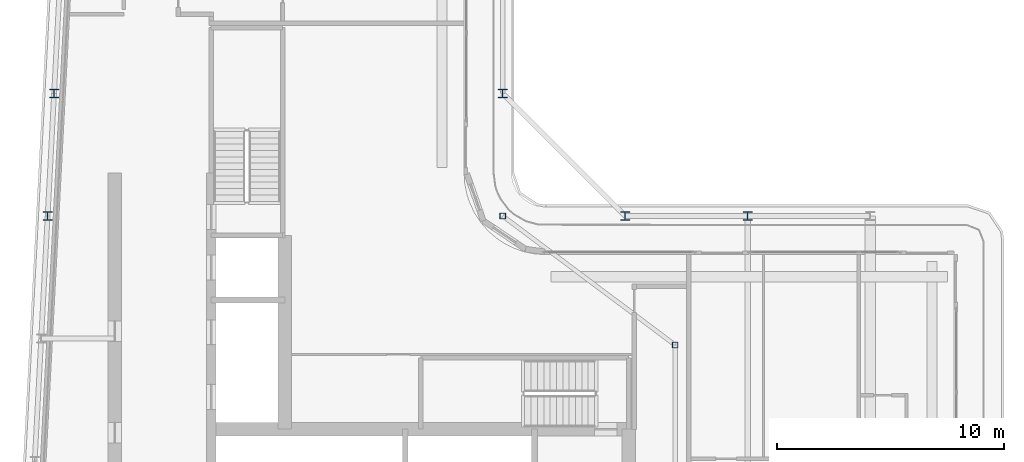
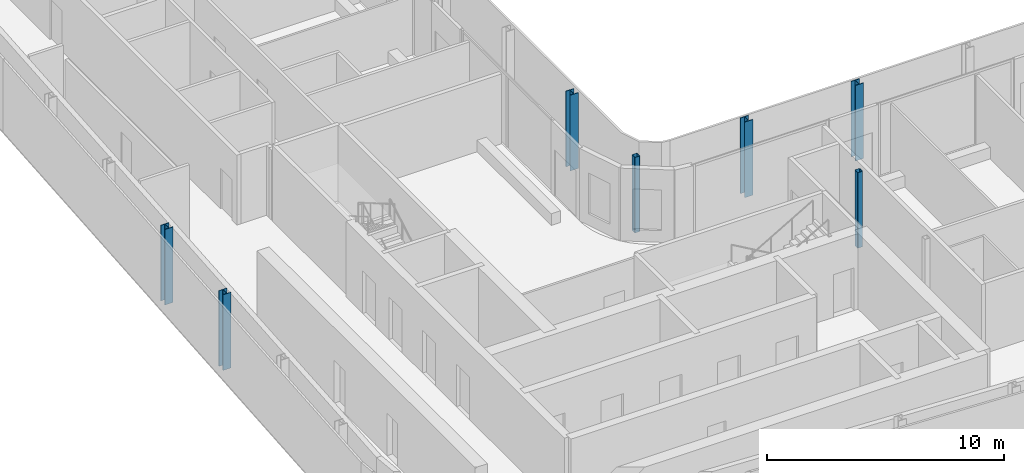
# One storey, part 2 of 21: 7 columns.
"""IFC4 building model written with IfcOpenShell, lengths in metres."""

from ifc_helpers import new_model, si_unit, direction, frame, origin, origin_2d, place, context, subcontext, project, spatial, hollow_rectangle, i_section, extrude, material, material_profile, profile_set, type_object, element, save


model = new_model("IFC4")

# Units and contexts
model_context = context("Model", 3, precision=1e-05, world=origin(), true_north=direction((0.0, 1.0)))
body_context = subcontext(model_context, "Body", "Model", "MODEL_VIEW")
ifc_project = project(units=[si_unit("LENGTHUNIT", "METRE"), si_unit("AREAUNIT", "SQUARE_METRE"), si_unit("VOLUMEUNIT", "CUBIC_METRE"), si_unit("PLANEANGLEUNIT", "RADIAN"), si_unit("MASSUNIT", "GRAM", prefix="KILO")], contexts=[model_context])

# Site, building, storey
site_placement = place(None, origin())
site = spatial("IfcSite", under=ifc_project, at=site_placement, CompositionType="ELEMENT")
building_placement = place(site_placement, origin())
building = spatial("IfcBuilding", under=site, at=building_placement, Name="Kheshtan School and Residences Tower", CompositionType="ELEMENT")
storey_placement = place(building_placement, frame((0.0, 0.0, 298.10009765625)))
storey = spatial("IfcBuildingStorey", under=building, at=storey_placement, Name="L70", CompositionType="ELEMENT", Elevation=298.10009765625)

# Columns
ifc_material_1 = material(Name="Steel ASTM A992 Grade 50", Category="steel")
ifc_material_profile_1 = material_profile(ifc_material_1, i_section(OverallWidth=0.39501953125, OverallDepth=0.3798828125, WebThickness=0.018798828125, FlangeThickness=0.0302734375, FilletRadius=0.011474609375, at=origin_2d()), Name="W360x237")
ifc_profile_set_1 = profile_set([ifc_material_profile_1], Name="Steel ASTM A992 Grade 50")
column_type_1 = type_object("IfcColumnType", Name="Column C5 W360x237 ASTM A992 Grade 50", PredefinedType="COLUMN", material=ifc_profile_set_1)
for number, where, z_axis, x_axis, name in (
    (1, (27.537109375, 45.60009765625, 0.0), (0.0, 0.0, 1.0), (1.0, 0.0, 0.0), "Column C059"),
    (2, (53.0, 45.60009765625, 0.0), (0.0, 0.0, 1.0), (1.0, 0.0, 0.0), "Column C061"),
    (3, (58.39990234375, 45.60009765625, 0.0), (0.0, 0.0, 1.0), (1.0, 0.0, 0.0), "Column C062"),
    (4, (27.822021484375, 51.0, 0.0), (0.0, 0.0, 1.0), (1.0, 0.0, 0.0), "Column C078"),
    (5, (47.60009765625, 51.0, 0.0), (0.0, 0.0, 1.0), (1.0, 0.0, 0.0), "Column C079"),
):
    element("IfcColumn", number, at=place(storey_placement, frame(where, z_axis=z_axis, x_axis=x_axis)), inside=storey, type_object=column_type_1, Name=name, PredefinedType="COLUMN", context=body_context, shape_type="SweptSolid", body=[
        extrude(i_section(OverallWidth=0.39501953125, OverallDepth=0.3798828125, WebThickness=0.018798828125, FlangeThickness=0.0302734375, FilletRadius=0.011474609375, at=origin_2d()), origin(), (0.0, 0.0, 1.0), 3.89990234375),
    ])
ifc_material_2 = material(Name="Steel ASTM A500 Grade C", Category="steel")
ifc_material_profile_2 = material_profile(ifc_material_2, hollow_rectangle(XDim=0.25390625, YDim=0.25390625, WallThickness=0.0126953125, InnerFilletRadius=0.0126953125, OuterFilletRadius=0.025390625, at=origin_2d()), Name="HSS 254x254x12.7")
ifc_profile_set_2 = profile_set([ifc_material_profile_2], Name="Steel ASTM A500 Grade C")
column_type_2 = type_object("IfcColumnType", Name="Column IC3 HSS 254x254x12.7 ASTM A500 Grade C", PredefinedType="COLUMN", material=ifc_profile_set_2)
for number, where, z_axis, x_axis, name in (
    (6, (55.199951171875, 39.916015625, 0.0), (0.0, 0.0, 1.0), (1.0, 0.0, 0.0), "Column C055"),
    (7, (47.60009765625, 45.60009765625, 0.0), (0.0, 0.0, 1.0), (1.0, 0.0, 0.0), "Column C060"),
):
    element("IfcColumn", number, at=place(storey_placement, frame(where, z_axis=z_axis, x_axis=x_axis)), inside=storey, type_object=column_type_2, Name=name, PredefinedType="COLUMN", context=body_context, shape_type="SweptSolid", body=[
        extrude(hollow_rectangle(XDim=0.25390625, YDim=0.25390625, WallThickness=0.0126953125, InnerFilletRadius=0.0126953125, OuterFilletRadius=0.025390625, at=origin_2d()), origin(), (0.0, 0.0, 1.0), 3.89990234375),
    ])

save(model, "model.ifc")
